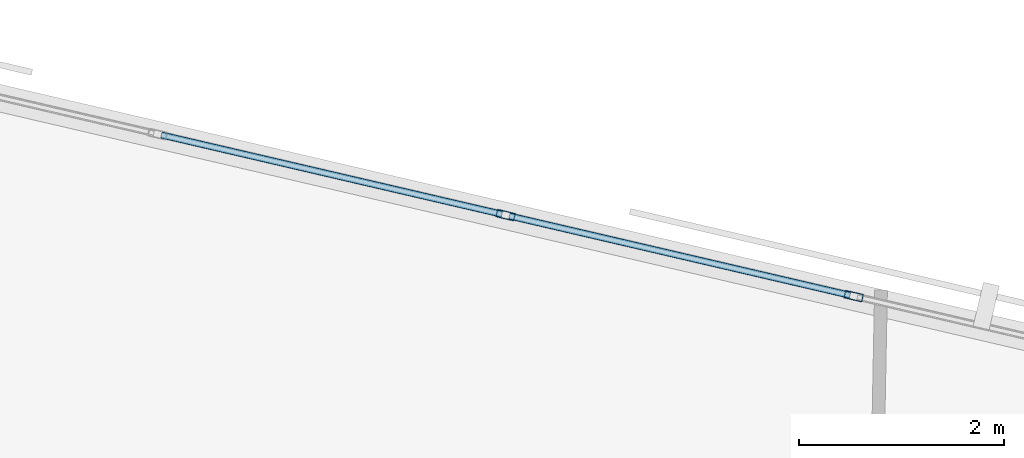
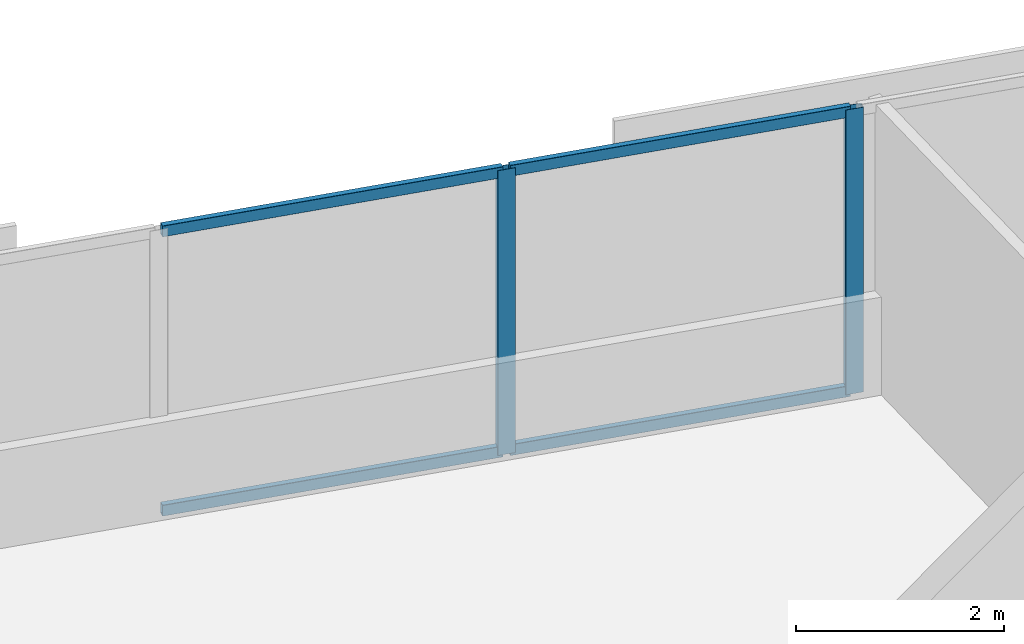
# One storey, part 7 of 13: 6 members, 1 element without a shape of its own.
"""IFC4 building model written with IfcOpenShell, lengths in metres."""

import ifcopenshell
import ifcopenshell.guid

model = None  # the IFC model being written
_history = None  # IfcOwnerHistory: only IFC2X3 demands one
_inside = {}  # id of a spatial element -> (the spatial element, [elements in it])
_under = {}  # id of a project, library or spatial element -> (it, [spatial elements below it])
_declared = {}  # id of a project -> (the project, [libraries it declares])
_typed = {}  # id of a type object -> (the type object, [elements of that type])
_made_of = {}  # id of a material, layer set ... -> (it, [elements and type objects made of it])


def new_model(schema):
    """Start an empty IFC model of exactly this schema.

    Asked for "IFC4X3", IfcOpenShell would pick the latest addendum, in which some entities
    have other attributes; the version numbers below select the first issue.
    IFC2X3 requires an IfcOwnerHistory on every rooted entity: one is made here for all.
    """
    global model, _history
    if schema == "IFC4X3":
        model = ifcopenshell.file(schema_version=(4, 3, 0, 0))
    else:
        model = ifcopenshell.file(schema=schema)
    _inside.clear()
    _under.clear()
    _declared.clear()
    _typed.clear()
    _made_of.clear()
    _history = None
    if model.schema == "IFC2X3":
        org = make("IfcOrganization", Name="unknown")
        user = make(
            "IfcPersonAndOrganization",
            ThePerson=make("IfcPerson", FamilyName="unknown"),
            TheOrganization=org,
        )
        app = make(
            "IfcApplication",
            ApplicationDeveloper=org,
            Version="unknown",
            ApplicationFullName="unknown",
            ApplicationIdentifier="unknown",
        )
        _history = make(
            "IfcOwnerHistory",
            OwningUser=user,
            OwningApplication=app,
            ChangeAction="ADDED",
            CreationDate=0,
        )
    return model


def make(cls, **values):
    """One entity of the class cls with the attributes given. An attribute that is None is left unset."""
    return model.create_entity(
        cls, **{name: value for name, value in values.items() if value is not None}
    )


def rooted(cls, **values):
    """An entity with a GlobalId (a new one), such as an element, a storey or a relation."""
    return make(cls, GlobalId=ifcopenshell.guid.new(), OwnerHistory=_history, **values)


def si_unit(unit_type, name, prefix=None):
    """IfcSIUnit, for example si_unit("LENGTHUNIT", "METRE", prefix="MILLI")."""
    return make("IfcSIUnit", UnitType=unit_type, Prefix=prefix, Name=name)


def assignment(units):
    """IfcUnitAssignment: the units of a project."""
    return None if units is None else make("IfcUnitAssignment", Units=units)


def point(xyz):
    """IfcCartesianPoint."""
    return None if xyz is None else make("IfcCartesianPoint", Coordinates=xyz)


def direction(xyz):
    """IfcDirection."""
    return None if xyz is None else make("IfcDirection", DirectionRatios=xyz)


def frame(location, z_axis=None, x_axis=None):
    """IfcAxis2Placement3D, a coordinate frame: its origin and axes. An axis left out is left unset."""
    return make(
        "IfcAxis2Placement3D",
        Location=point(location),
        Axis=direction(z_axis),
        RefDirection=direction(x_axis),
    )


def frame_2d(location, x_axis=None):
    """IfcAxis2Placement2D, a coordinate frame in the plane: its origin and x axis."""
    return make(
        "IfcAxis2Placement2D", Location=point(location), RefDirection=direction(x_axis)
    )


def origin():
    """The frame at (0, 0, 0) with its axes left unset."""
    return frame((0.0, 0.0, 0.0))


def origin_2d():
    """The frame at (0, 0) in the plane with its x axis left unset."""
    return frame_2d((0.0, 0.0))


def place(relative_to, where):
    """IfcLocalPlacement: puts the frame where relative to a parent placement (None: the world)."""
    return make(
        "IfcLocalPlacement", PlacementRelTo=relative_to, RelativePlacement=where
    )


def context(
    kind, dimensions, precision=None, world=None, true_north=None, identifier=None
):
    """IfcGeometricRepresentationContext, for example the 3D "Model" context."""
    return make(
        "IfcGeometricRepresentationContext",
        ContextIdentifier=identifier,
        ContextType=kind,
        CoordinateSpaceDimension=dimensions,
        Precision=precision,
        WorldCoordinateSystem=world,
        TrueNorth=true_north,
    )


def subcontext(parent, identifier, kind, view, scale=None):
    """IfcGeometricRepresentationSubContext, for example "Body" below "Model"."""
    return make(
        "IfcGeometricRepresentationSubContext",
        ContextIdentifier=identifier,
        ContextType=kind,
        ParentContext=parent,
        TargetScale=scale,
        TargetView=view,
    )


def project(units=None, contexts=None):
    """IfcProject with its units and contexts."""
    return rooted(
        "IfcProject",
        Name="project",
        RepresentationContexts=contexts,
        UnitsInContext=assignment(units),
    )


def spatial(cls, under=None, at=None, **own):
    """A site, building, storey or space (cls), placed at a placement, below another one or the project."""
    s = rooted(cls, ObjectPlacement=at, **own)
    if under is not None:
        _under.setdefault(under.id(), (under, []))[1].append(s)
    return s


def profile(cls, at=None, kind="AREA", **sizes):
    """A parametric profile (cls). Its sizes go by their IFC names, for example OverallWidth=200.0."""
    return make(cls, ProfileType=kind, Position=at, **sizes)


def hollow_rectangle(**sizes):
    """IfcRectangleHollowProfileDef."""
    return profile("IfcRectangleHollowProfileDef", **sizes)


def extrude(swept, where, along, depth):
    """IfcExtrudedAreaSolid: the profile swept, set in the frame where, extruded along a direction by depth."""
    return make(
        "IfcExtrudedAreaSolid",
        SweptArea=swept,
        Position=where,
        ExtrudedDirection=direction(along),
        Depth=depth,
    )


def shape(context_of_items, identifier, shape_type, items):
    """IfcShapeRepresentation: the items that make up one representation, for example the "Body"."""
    return make(
        "IfcShapeRepresentation",
        ContextOfItems=context_of_items,
        RepresentationIdentifier=identifier,
        RepresentationType=shape_type,
        Items=items,
    )


def material(Name=None, Category=None):
    """IfcMaterial."""
    return make("IfcMaterial", Name=Name, Category=Category)


def material_profile(
    of_material, cross_section, Name=None, Category=None, Priority=None
):
    """IfcMaterialProfile: a cross section and its material."""
    return make(
        "IfcMaterialProfile",
        Name=Name,
        Material=of_material,
        Profile=cross_section,
        Priority=Priority,
        Category=Category,
    )


def profile_set(profiles, Name=None, composite=None):
    """IfcMaterialProfileSet."""
    return make(
        "IfcMaterialProfileSet",
        Name=Name,
        MaterialProfiles=profiles,
        CompositeProfile=composite,
    )


def made_of(thing, what):
    """Note that an element or type object is made of a material, layer set ...; save() writes the relation."""
    if what is not None:
        _made_of.setdefault(what.id(), (what, []))[1].append(thing)
    return thing


def type_object(cls, material=None, **own):
    """A type object (cls), such as IfcWallType, which elements share."""
    return made_of(rooted(cls, **own), material)


def element(
    cls,
    number,
    at=None,
    inside=None,
    cuts=None,
    type_object=None,
    material=None,
    context=None,
    identifier="Body",
    shape_type=None,
    held_by="IfcProductDefinitionShape",
    body=None,
    shapes=None,
    **own,
):
    """One element of the class cls, such as IfcWall. Its Tag is "e" and its number.

    at: its placement. inside: the storey or other place that contains it. cuts: it is an
    opening in that element (IfcRelVoidsElement). A single representation is given by context,
    identifier, shape_type and body (its items); several are given by shapes. held_by: the class
    of the entity that holds the representations. save() writes the other relations.
    """
    e = rooted(cls, Tag="e%d" % number, ObjectPlacement=at, **own)
    if body is not None:
        shapes = [shape(context, identifier, shape_type, body)]
    if shapes is not None:
        e.Representation = make(held_by, Representations=shapes)
    if inside is not None:
        _inside.setdefault(inside.id(), (inside, []))[1].append(e)
    if cuts is not None:
        rooted(
            "IfcRelVoidsElement", RelatingBuildingElement=cuts, RelatedOpeningElement=e
        )
    if type_object is not None:
        _typed.setdefault(type_object.id(), (type_object, []))[1].append(e)
    return made_of(e, material)


def aggregate(whole, parts):
    """IfcRelAggregates: a whole, such as a stair, and the parts it consists of."""
    return rooted("IfcRelAggregates", RelatingObject=whole, RelatedObjects=parts)


def save(model, path):
    """Write the relations noted so far, then the file.

    IfcRelAggregates (storeys below a building ...), IfcRelContainedInSpatialStructure (elements
    in a storey), IfcRelDefinesByType, IfcRelAssociatesMaterial and IfcRelDeclares: one each for
    every whole, place, type object, material and project.
    """
    for whole, parts in _under.values():
        aggregate(whole, parts)
    for where, things in _inside.values():
        rooted(
            "IfcRelContainedInSpatialStructure",
            RelatedElements=things,
            RelatingStructure=where,
        )
    for kind, things in _typed.values():
        rooted("IfcRelDefinesByType", RelatedObjects=things, RelatingType=kind)
    for what, things in _made_of.values():
        rooted("IfcRelAssociatesMaterial", RelatedObjects=things, RelatingMaterial=what)
    for by, libraries in _declared.values():
        rooted("IfcRelDeclares", RelatingContext=by, RelatedDefinitions=libraries)
    model.write(path)


model = new_model("IFC4")

# Units and contexts
model_context = context("Model", 3, precision=1e-05, world=origin(), true_north=direction((0.0, 1.0)))
body_context = subcontext(model_context, "Body", "Model", "MODEL_VIEW")
ifc_project = project(units=[si_unit("LENGTHUNIT", "METRE"), si_unit("AREAUNIT", "SQUARE_METRE"), si_unit("VOLUMEUNIT", "CUBIC_METRE"), si_unit("PLANEANGLEUNIT", "RADIAN"), si_unit("MASSUNIT", "GRAM", prefix="KILO")], contexts=[model_context])

# Site, building, storey
site_placement = place(None, origin())
site = spatial("IfcSite", under=ifc_project, at=site_placement, CompositionType="ELEMENT")
building_placement = place(site_placement, origin())
building = spatial("IfcBuilding", under=site, at=building_placement, Name="Narakoshi Arena Tower", CompositionType="ELEMENT")
storey_placement = place(building_placement, frame((0.0, 0.0, 164.699951171875)))
storey = spatial("IfcBuildingStorey", under=building, at=storey_placement, Name="L44", CompositionType="ELEMENT", Elevation=164.699951171875)

# Curtain wall, members
ifc_material = material(Name="Anodised bronze aluminium 6063-T6", Category="aluminium")
curtain_wall_type = type_object("IfcCurtainWallType", Name="CW-HYP-MID", PredefinedType="NOTDEFINED", material=ifc_material)
curtain_wall_placement = place(storey_placement, origin())
curtain_wall = element("IfcCurtainWall", 1, at=curtain_wall_placement, inside=storey, type_object=curtain_wall_type, Name="L44 Folded Hypotenuse Curtain Wall 2-1", PredefinedType="NOTDEFINED")
ifc_material_profile_1 = material_profile(ifc_material, hollow_rectangle(XDim=0.074951171875, YDim=0.179931640625, WallThickness=0.00390625, OuterFilletRadius=0.0048828125, at=origin_2d()), Name="MUL180x75x4")
ifc_profile_set_1 = profile_set([ifc_material_profile_1], Name="Anodised bronze aluminium 6063-T6")
member_type_1 = type_object("IfcMemberType", Name="MEM-MUL-180", PredefinedType="MULLION", material=ifc_profile_set_1)
member_1_placement = place(storey_placement, frame((78.911376953125, 64.4443359375, 0.0), z_axis=(0.0, 0.0, 1.0), x_axis=(-0.226721182724, -0.973959704148, 0.0)))
member_1 = element("IfcMember", 2, at=member_1_placement, type_object=member_type_1, Name="CW-02 mullion 3", PredefinedType="MULLION", context=body_context, shape_type="SweptSolid", body=[
    extrude(hollow_rectangle(XDim=0.074951171875, YDim=0.179931640625, WallThickness=0.00390625, OuterFilletRadius=0.0048828125, at=origin_2d()), origin(), (0.0, 0.0, 1.0), 3.340087890625),
])
member_2_placement = place(storey_placement, frame((75.510498046875, 65.236083984375, 0.0), z_axis=(0.0, 0.0, 1.0), x_axis=(-0.226721182724, -0.973959704148, 0.0)))
member_2 = element("IfcMember", 3, at=member_2_placement, type_object=member_type_1, Name="CW-02 mullion 4", PredefinedType="MULLION", context=body_context, shape_type="SweptSolid", body=[
    extrude(hollow_rectangle(XDim=0.074951171875, YDim=0.179931640625, WallThickness=0.00390625, OuterFilletRadius=0.0048828125, at=origin_2d()), origin(), (0.0, 0.0, 1.0), 3.340087890625),
])
ifc_material_profile_2 = material_profile(ifc_material, hollow_rectangle(XDim=0.06494140625, YDim=0.1298828125, WallThickness=0.00390625, OuterFilletRadius=0.0048828125, at=origin_2d()), Name="TRN130x65x4")
ifc_profile_set_2 = profile_set([ifc_material_profile_2], Name="Anodised bronze aluminium 6063-T6")
member_type_2 = type_object("IfcMemberType", Name="MEM-TRN-130", PredefinedType="USERDEFINED", material=ifc_profile_set_2)
member_3_placement = place(storey_placement, frame((78.874755859375, 64.452880859375, 0.032470703125), z_axis=(-0.973957040336, 0.226732625751, 0.0), x_axis=(-0.226732625751, -0.973957040336, 0.0)))
member_3 = element("IfcMember", 4, at=member_3_placement, type_object=member_type_2, Name="CW-02 transom 3.1", ObjectType="TRANSOM", PredefinedType="USERDEFINED", context=body_context, shape_type="SweptSolid", body=[
    extrude(hollow_rectangle(XDim=0.06494140625, YDim=0.1298828125, WallThickness=0.00390625, OuterFilletRadius=0.0048828125, at=origin_2d()), origin(), (0.0, 0.0, 1.0), 3.41650390625),
])
member_4_placement = place(storey_placement, frame((78.874755859375, 64.452880859375, 3.3076171875), z_axis=(-0.973957040336, 0.226732625751, 0.0), x_axis=(-0.226732625751, -0.973957040336, 0.0)))
member_4 = element("IfcMember", 5, at=member_4_placement, type_object=member_type_2, Name="CW-02 transom 3.2", ObjectType="TRANSOM", PredefinedType="USERDEFINED", context=body_context, shape_type="SweptSolid", body=[
    extrude(hollow_rectangle(XDim=0.06494140625, YDim=0.1298828125, WallThickness=0.00390625, OuterFilletRadius=0.0048828125, at=origin_2d()), origin(), (0.0, 0.0, 1.0), 3.41650390625),
])
member_5_placement = place(storey_placement, frame((75.473876953125, 65.24462890625, 0.032470703125), z_axis=(-0.973957040336, 0.226732625751, 0.0), x_axis=(-0.226732625751, -0.973957040336, 0.0)))
member_5 = element("IfcMember", 6, at=member_5_placement, type_object=member_type_2, Name="CW-02 transom 4.1", ObjectType="TRANSOM", PredefinedType="USERDEFINED", context=body_context, shape_type="SweptSolid", body=[
    extrude(hollow_rectangle(XDim=0.06494140625, YDim=0.1298828125, WallThickness=0.00390625, OuterFilletRadius=0.0048828125, at=origin_2d()), origin(), (0.0, 0.0, 1.0), 3.41650390625),
])
member_6_placement = place(storey_placement, frame((75.473876953125, 65.24462890625, 3.3076171875), z_axis=(-0.973957040336, 0.226732625751, 0.0), x_axis=(-0.226732625751, -0.973957040336, 0.0)))
member_6 = element("IfcMember", 7, at=member_6_placement, type_object=member_type_2, Name="CW-02 transom 4.2", ObjectType="TRANSOM", PredefinedType="USERDEFINED", context=body_context, shape_type="SweptSolid", body=[
    extrude(hollow_rectangle(XDim=0.06494140625, YDim=0.1298828125, WallThickness=0.00390625, OuterFilletRadius=0.0048828125, at=origin_2d()), origin(), (0.0, 0.0, 1.0), 3.41650390625),
])
aggregate(curtain_wall, [member_1, member_2, member_3, member_4, member_5, member_6])

save(model, "model.ifc")
